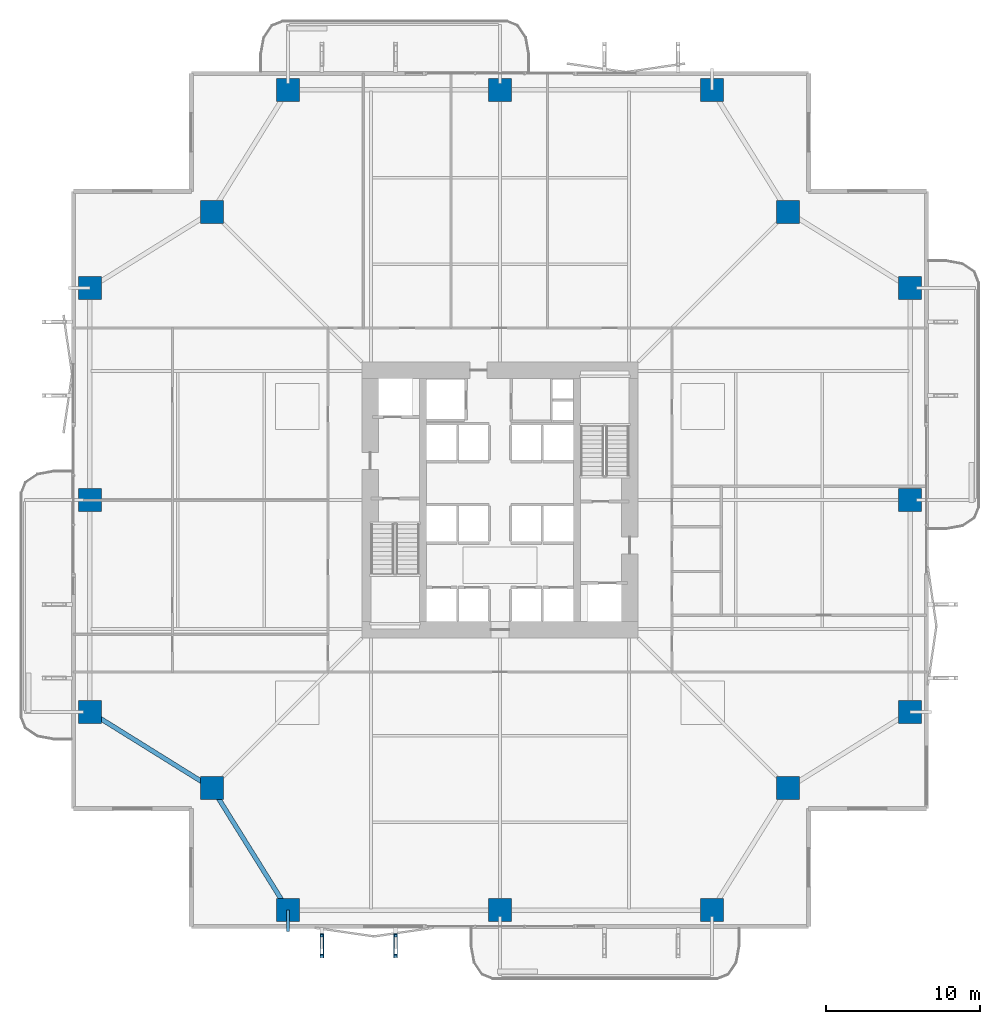
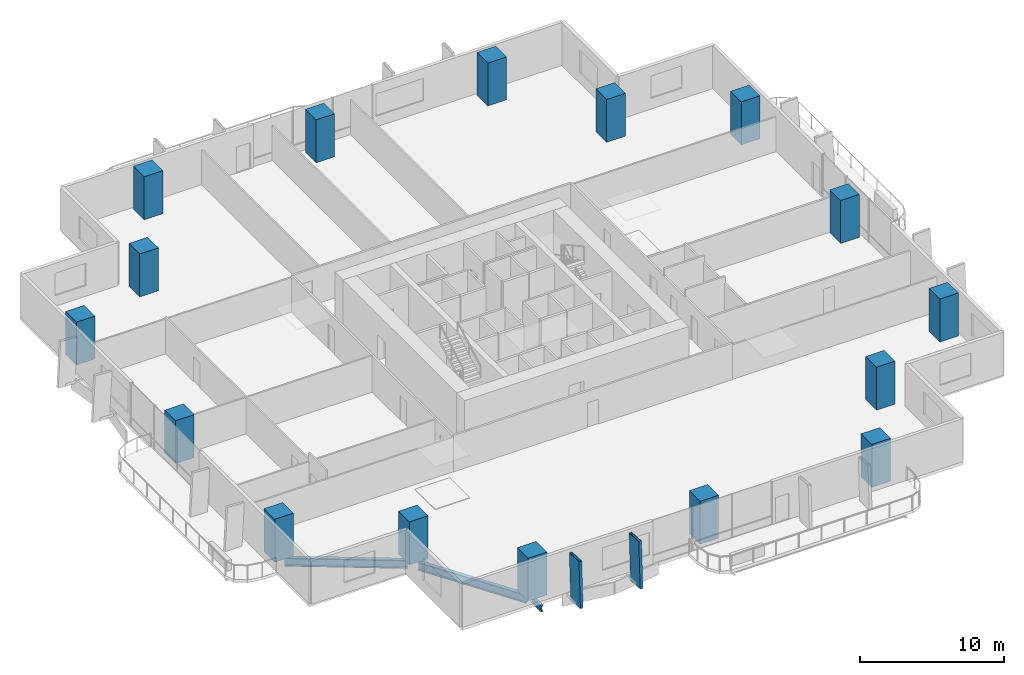
# One storey, part 1 of 24: 16 columns, 3 beams, 2 members.
"""IFC4 building model written with IfcOpenShell, lengths in metres."""

from ifc_helpers import new_model, si_unit, direction, frame, origin, origin_2d, place, context, subcontext, project, spatial, rectangle, hollow_rectangle, i_section, extrude, material, material_profile, profile_set, type_object, element, save


model = new_model("IFC4")

# Units and contexts
model_context = context("Model", 3, precision=1e-05, world=origin(), true_north=direction((0.0, 1.0)))
body_context = subcontext(model_context, "Body", "Model", "MODEL_VIEW")
ifc_project = project(units=[si_unit("LENGTHUNIT", "METRE"), si_unit("AREAUNIT", "SQUARE_METRE"), si_unit("VOLUMEUNIT", "CUBIC_METRE"), si_unit("PLANEANGLEUNIT", "RADIAN"), si_unit("MASSUNIT", "GRAM", prefix="KILO")], contexts=[model_context])

# Site, building, storey
site_placement = place(None, origin())
site = spatial("IfcSite", under=ifc_project, at=site_placement, CompositionType="ELEMENT")
building_placement = place(site_placement, origin())
building = spatial("IfcBuilding", under=site, at=building_placement, Name="Belovzor Exchange Tower", CompositionType="ELEMENT")
storey_placement = place(building_placement, frame((0.0, 0.0, 72.89990234375)))
storey = spatial("IfcBuildingStorey", under=building, at=storey_placement, Name="L17", CompositionType="ELEMENT", Elevation=72.89990234375)

# Columns
ifc_material_1 = material(Name="Concrete C60/75", Category="concrete")
ifc_material_profile_1 = material_profile(ifc_material_1, rectangle(XDim=1.5, YDim=1.5, at=origin_2d()))
ifc_profile_set_1 = profile_set([ifc_material_profile_1], Name="Concrete C60/75")
column_type = type_object("IfcColumnType", Name="Reinforced Concrete Tower Column 1500x1500", PredefinedType="COLUMN", material=ifc_profile_set_1)
for number, where, z_axis, x_axis, name in (
    (1, (15.0, 2.10009765625, 0.003173828125), (0.0, 0.0, 1.0), (1.0, 0.0, 0.0), "COL-T150 Reinforced Concrete Tower Column 1500x1500"),
    (2, (28.800048828125, 2.10009765625, 0.003173828125), (0.0, 0.0, 1.0), (1.0, 0.0, 0.0), "COL-T150 Reinforced Concrete Tower Column 1500x1500"),
    (3, (42.60009765625, 2.10009765625, 0.003173828125), (0.0, 0.0, 1.0), (1.0, 0.0, 0.0), "COL-T150 Reinforced Concrete Tower Column 1500x1500"),
    (4, (55.5, 15.0, 0.003173828125), (0.0, 0.0, 1.0), (1.0, 0.0, 0.0), "COL-T150 Reinforced Concrete Tower Column 1500x1500"),
    (5, (55.5, 28.800048828125, 0.003173828125), (0.0, 0.0, 1.0), (1.0, 0.0, 0.0), "COL-T150 Reinforced Concrete Tower Column 1500x1500"),
    (6, (55.5, 42.60009765625, 0.003173828125), (0.0, 0.0, 1.0), (1.0, 0.0, 0.0), "COL-T150 Reinforced Concrete Tower Column 1500x1500"),
    (7, (42.60009765625, 55.5, 0.003173828125), (0.0, 0.0, 1.0), (1.0, 0.0, 0.0), "COL-T150 Reinforced Concrete Tower Column 1500x1500"),
    (8, (28.800048828125, 55.5, 0.003173828125), (0.0, 0.0, 1.0), (1.0, 0.0, 0.0), "COL-T150 Reinforced Concrete Tower Column 1500x1500"),
    (9, (15.0, 55.5, 0.003173828125), (0.0, 0.0, 1.0), (1.0, 0.0, 0.0), "COL-T150 Reinforced Concrete Tower Column 1500x1500"),
    (10, (2.10009765625, 42.60009765625, 0.003173828125), (0.0, 0.0, 1.0), (1.0, 0.0, 0.0), "COL-T150 Reinforced Concrete Tower Column 1500x1500"),
    (11, (2.10009765625, 28.800048828125, 0.003173828125), (0.0, 0.0, 1.0), (1.0, 0.0, 0.0), "COL-T150 Reinforced Concrete Tower Column 1500x1500"),
    (12, (2.10009765625, 15.0, 0.003173828125), (0.0, 0.0, 1.0), (1.0, 0.0, 0.0), "COL-T150 Reinforced Concrete Tower Column 1500x1500"),
    (13, (10.050048828125, 10.050048828125, 0.003173828125), (0.0, 0.0, 1.0), (1.0, 0.0, 0.0), "COL-T150 Reinforced Concrete Tower Column 1500x1500"),
    (14, (47.550048828125, 10.050048828125, 0.003173828125), (0.0, 0.0, 1.0), (1.0, 0.0, 0.0), "COL-T150 Reinforced Concrete Tower Column 1500x1500"),
    (15, (47.550048828125, 47.550048828125, 0.003173828125), (0.0, 0.0, 1.0), (1.0, 0.0, 0.0), "COL-T150 Reinforced Concrete Tower Column 1500x1500"),
    (16, (10.050048828125, 47.550048828125, 0.003173828125), (0.0, 0.0, 1.0), (1.0, 0.0, 0.0), "COL-T150 Reinforced Concrete Tower Column 1500x1500"),
):
    element("IfcColumn", number, at=place(storey_placement, frame(where, z_axis=z_axis, x_axis=x_axis)), inside=storey, type_object=column_type, Name=name, PredefinedType="COLUMN", context=body_context, shape_type="SweptSolid", body=[
        extrude(rectangle(XDim=1.5, YDim=1.5, at=origin_2d()), origin(), (0.0, 0.0, 1.0), 3.64404296875),
    ])

# Members
ifc_material_2 = material(Name="Extruded Architectural Terracotta on Steel S355 Carrier", Category="masonry")
ifc_material_profile_2 = material_profile(ifc_material_2, hollow_rectangle(XDim=0.219970703125, YDim=1.35009765625, WallThickness=0.013916015625, at=origin_2d()))
ifc_profile_set_2 = profile_set([ifc_material_profile_2], Name="Extruded Architectural Terracotta on Steel S355 Carrier")
member_type = type_object("IfcMemberType", Name="Base Arc Sweeping Terracotta Pylon Fin 1450", PredefinedType="USERDEFINED", material=ifc_profile_set_2)
for number, where, z_axis, x_axis, name in (
    (17, (17.199951171875, -0.326904296875, -0.25), (0.0, 0.051449765599, 0.998675583771), (-1.0, 0.0, 0.0), "FIN-TC145 Terracotta Facade Fin L17 S1"),
    (18, (22.0, -0.326904296875, -0.25), (0.0, 0.051449765599, 0.998675583771), (-1.0, 0.0, 0.0), "FIN-TC145 Terracotta Facade Fin L17 S2"),
):
    element("IfcMember", number, at=place(storey_placement, frame(where, z_axis=z_axis, x_axis=x_axis)), inside=storey, type_object=member_type, Name=name, ObjectType="FIN", PredefinedType="USERDEFINED", context=body_context, shape_type="SweptSolid", body=[
        extrude(hollow_rectangle(XDim=0.219970703125, YDim=1.35009765625, WallThickness=0.013916015625, at=origin_2d()), origin(), (0.0, 0.0, 1.0), 3.9052734375),
    ])

# Beams
ifc_material_3 = material(Name="Steel S355", Category="steel")
ifc_material_profile_3 = material_profile(ifc_material_3, i_section(OverallWidth=0.199951171875, OverallDepth=0.5, WebThickness=0.01025390625, FlangeThickness=0.01611328125, at=origin_2d()))
ifc_profile_set_3 = profile_set([ifc_material_profile_3], Name="Steel S355")
beam_type_1 = type_object("IfcBeamType", Name="Planted Balcony Cantilever Beam IPE 500", PredefinedType="BEAM", material=ifc_profile_set_3)
beam_placement = place(storey_placement, frame((15.0, 2.10009765625, -0.5), z_axis=(0.0, -1.0, 0.0), x_axis=(1.0, 0.0, 0.0)))
element("IfcBeam", 19, at=beam_placement, inside=storey, type_object=beam_type_1, Name="BC-500 Planted Balcony Cantilever Beam IPE 500", PredefinedType="BEAM", context=body_context, shape_type="SweptSolid", body=[
    extrude(i_section(OverallWidth=0.199951171875, OverallDepth=0.5, WebThickness=0.01025390625, FlangeThickness=0.01611328125, at=origin_2d()), origin(), (0.0, 0.0, 1.0), 1.400146484375),
])
ifc_material_4 = material(Name="Steel S355", Category="steel")
ifc_material_profile_4 = material_profile(ifc_material_4, i_section(OverallWidth=0.300048828125, OverallDepth=0.699951171875, WebThickness=0.01708984375, FlangeThickness=0.031982421875, at=origin_2d()))
ifc_profile_set_4 = profile_set([ifc_material_profile_4], Name="Steel S355")
beam_type_2 = type_object("IfcBeamType", Name="Zone 1 Primary Perimeter Girder HEB 700", PredefinedType="BEAM", material=ifc_profile_set_4)
for number, where, z_axis, x_axis, name in (
    (20, (10.26806640625, 9.699951171875, -0.599853515625), (0.528538629686, -0.848909251292, 0.0), (0.848909251292, 0.528538629686, 0.0), "FG-Z1 Zone 1 Primary Perimeter Girder HEB 700"),
    (21, (2.449951171875, 14.781982421875, -0.599853515625), (0.848909251292, -0.528538629686, 0.0), (0.528538629686, 0.848909251292, 0.0), "FG-Z1 Zone 1 Primary Perimeter Girder HEB 700"),
):
    element("IfcBeam", number, at=place(storey_placement, frame(where, z_axis=z_axis, x_axis=x_axis)), inside=storey, type_object=beam_type_2, Name=name, PredefinedType="BEAM", context=body_context, shape_type="SweptSolid", body=[
        extrude(i_section(OverallWidth=0.300048828125, OverallDepth=0.699951171875, WebThickness=0.01708984375, FlangeThickness=0.031982421875, at=origin_2d()), origin(), (0.0, 0.0, 1.0), 8.540283203125),
    ])

save(model, "model.ifc")
